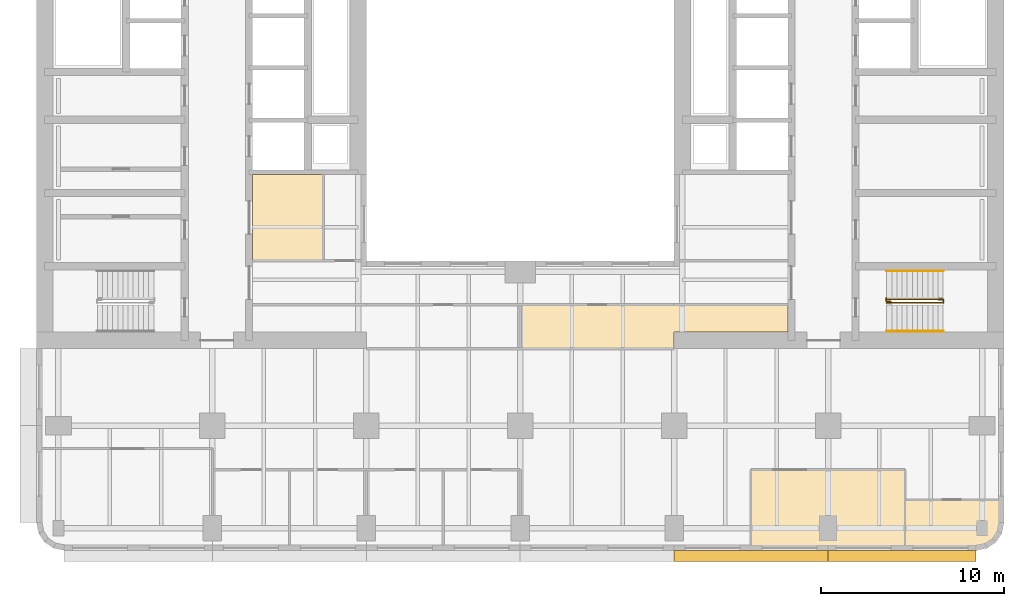
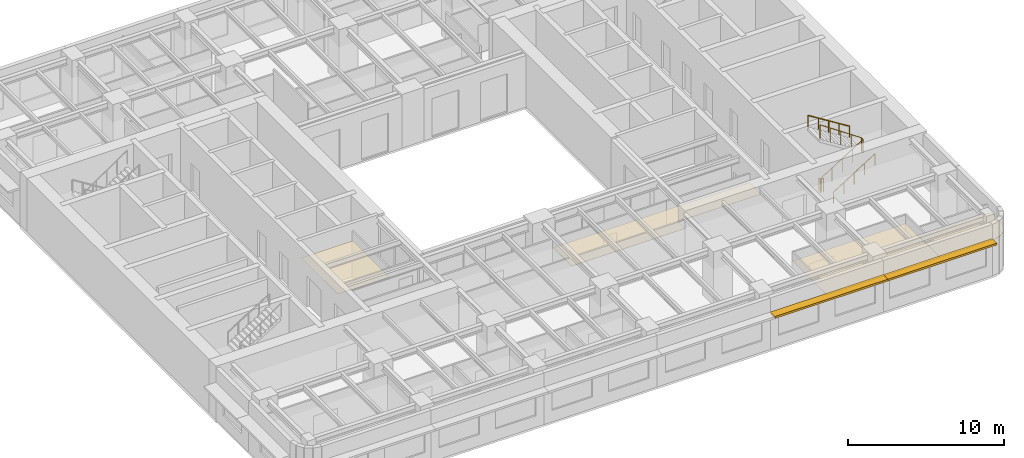
# One storey, part 10 of 11: 4 coverings, 4 railings, 2 shading devices.
"""IFC4 building model written with IfcOpenShell, lengths in metres."""

from ifc_helpers import new_model, si_unit, direction, frame, origin, origin_2d, place, context, subcontext, project, spatial, polyline, rectangle, circle, outline, extrude, material, layer, layer_set, type_object, element, save


model = new_model("IFC4")

# Units and contexts
model_context = context("Model", 3, precision=1e-05, world=origin(), true_north=direction((0.0, 1.0)))
body_context = subcontext(model_context, "Body", "Model", "MODEL_VIEW")
ifc_project = project(units=[si_unit("LENGTHUNIT", "METRE"), si_unit("AREAUNIT", "SQUARE_METRE"), si_unit("VOLUMEUNIT", "CUBIC_METRE"), si_unit("PLANEANGLEUNIT", "RADIAN"), si_unit("MASSUNIT", "GRAM", prefix="KILO")], contexts=[model_context])

# Site, building, storey
site_placement = place(None, origin())
site = spatial("IfcSite", under=ifc_project, at=site_placement, CompositionType="ELEMENT")
building_placement = place(site_placement, origin())
building = spatial("IfcBuilding", under=site, at=building_placement, Name="Claustro Exchange Tower", CompositionType="ELEMENT")
storey_placement = place(building_placement, frame((0.0, 0.0, 121.800048828125)))
storey = spatial("IfcBuildingStorey", under=building, at=storey_placement, Name="L27", CompositionType="ELEMENT", Elevation=121.800048828125)

# Coverings
ifc_material_1 = material(Name="Gypsum board ceiling", Category="gypsum board")
ifc_layer_1 = layer(ifc_material_1, 0.02490234375)
ifc_layer_set_1 = layer_set([ifc_layer_1], Name="Gypsum board ceiling")
covering_type = type_object("IfcCoveringType", Name="CL2 plasterboard ceiling", PredefinedType="CEILING", material=ifc_layer_set_1)
covering_1_placement = place(storey_placement, frame((0.0, 0.0, 2.800048828125)))
element("IfcCovering", 1, at=covering_1_placement, inside=storey, type_object=covering_type, Name="Ceiling CL2 L27-01", PredefinedType="CEILING", context=body_context, shape_type="SweptSolid", body=[
    extrude(outline(polyline([(51.60009765625, 3.10009765625), (51.60009765625, 4.35009765625), (46.199951171875, 4.35009765625), (46.199951171875, 1.60009765625), (50.10009765625, 1.60009765625), (50.674072265625, 1.714111328125), (51.16064453125, 2.039306640625), (51.48583984375, 2.52587890625), (51.60009765625, 3.10009765625)])), origin(), (0.0, 0.0, 1.0), 0.02490234375),
])
covering_2_placement = place(storey_placement, frame((0.0, 0.0, 2.800048828125)))
element("IfcCovering", 2, at=covering_2_placement, inside=storey, type_object=covering_type, Name="Ceiling CL2 L27-06", PredefinedType="CEILING", context=body_context, shape_type="SweptSolid", body=[
    extrude(outline(polyline([(37.800048828125, 1.60009765625), (46.199951171875, 1.60009765625), (46.199951171875, 6.0), (37.800048828125, 6.0), (37.800048828125, 1.60009765625)])), origin(), (0.0, 0.0, 1.0), 0.02490234375),
])
covering_3_placement = place(storey_placement, frame((0.0, 0.0, 2.800048828125)))
element("IfcCovering", 3, at=covering_3_placement, inside=storey, type_object=covering_type, Name="Ceiling CL2 L27-10", PredefinedType="CEILING", context=body_context, shape_type="SweptSolid", body=[
    extrude(outline(polyline([(39.800048828125, 13.5), (39.800048828125, 15.0), (33.60009765625, 15.0), (33.60009765625, 15.0), (25.199951171875, 15.0), (25.199951171875, 12.60009765625), (33.60009765625, 12.60009765625), (33.60009765625, 13.5), (39.800048828125, 13.5)])), origin(), (0.0, 0.0, 1.0), 0.02490234375),
])
covering_4_placement = place(storey_placement, frame((0.0, 0.0, 2.800048828125)))
element("IfcCovering", 4, at=covering_4_placement, inside=storey, type_object=covering_type, Name="Ceiling CL2 L27-12", PredefinedType="CEILING", context=body_context, shape_type="SweptSolid", body=[
    extrude(outline(polyline([(14.444091796875, 17.39990234375), (14.444091796875, 22.10009765625), (10.60009765625, 22.10009765625), (10.60009765625, 17.39990234375), (14.444091796875, 17.39990234375)])), origin(), (0.0, 0.0, 1.0), 0.02490234375),
])

# Railings
ifc_material_2 = material(Name="Steel balustrade, painted", Category="steel")
railing_type_1 = type_object("IfcRailingType", Name="GR2 1100 steel stair guard", PredefinedType="GUARDRAIL", material=ifc_material_2)
railing_1_placement = place(storey_placement, frame((45.199951171875, 15.10009765625, 0.175048828125)))
element("IfcRailing", 5, at=railing_1_placement, inside=storey, type_object=railing_type_1, Name="Stair well guard GR2 stair STEA L27", PredefinedType="GUARDRAIL", context=body_context, shape_type="SweptSolid", body=[
    extrude(circle(Radius=0.02392578125, at=origin_2d()), frame((0.0, 0.0, 1.076171875), z_axis=(0.848028513186, 0.0, 0.529950602248), x_axis=(0.0, 1.0, 0.0)), (0.0, 0.0, 1.0), 3.632080078125),
    extrude(circle(Radius=0.02392578125, at=origin_2d()), frame((3.080078125, 0.0, 3.0009765625), z_axis=(0.0, 1.0, 0.0), x_axis=(-1.0, 0.0, 0.0)), (0.0, 0.0, 1.0), 0.199951171875),
    extrude(circle(Radius=0.02392578125, at=origin_2d()), frame((3.080078125, 0.199951171875, 3.0009765625), z_axis=(-0.826221800596, 0.0, 0.563344953133), x_axis=(0.0, -1.0, 0.0)), (0.0, 0.0, 1.0), 3.72802734375),
    extrude(circle(Radius=0.02099609375, at=origin_2d()), origin(), (0.0, 0.0, 1.0), 1.052001953125),
    extrude(circle(Radius=0.02099609375, at=origin_2d()), frame((0.77001953125, 0.0, 0.481201171875)), (0.0, 0.0, 1.0), 1.052001953125),
    extrude(circle(Radius=0.02099609375, at=origin_2d()), frame((1.5400390625, 0.0, 0.96240234375)), (0.0, 0.0, 1.0), 1.052001953125),
    extrude(circle(Radius=0.02099609375, at=origin_2d()), frame((2.31005859375, 0.0, 1.443603515625)), (0.0, 0.0, 1.0), 1.052001953125),
    extrude(circle(Radius=0.02099609375, at=origin_2d()), frame((3.080078125, 0.0, 1.9248046875)), (0.0, 0.0, 1.0), 1.052001953125),
    extrude(circle(Radius=0.02099609375, at=origin_2d()), frame((3.080078125, 0.199951171875, 1.9248046875)), (0.0, 0.0, 1.0), 1.052001953125),
    extrude(circle(Radius=0.02099609375, at=origin_2d()), frame((2.31005859375, 0.199951171875, 2.44970703125)), (0.0, 0.0, 1.0), 1.052001953125),
    extrude(circle(Radius=0.02099609375, at=origin_2d()), frame((1.5400390625, 0.199951171875, 2.974853515625)), (0.0, 0.0, 1.0), 1.052001953125),
    extrude(circle(Radius=0.02099609375, at=origin_2d()), frame((0.77001953125, 0.199951171875, 3.5)), (0.0, 0.0, 1.0), 1.052001953125),
    extrude(circle(Radius=0.02099609375, at=origin_2d()), frame((0.0, 0.199951171875, 4.02490234375)), (0.0, 0.0, 1.0), 1.052001953125),
])
railing_2_placement = place(storey_placement, frame((45.39990234375, 15.169921875, 0.0)))
element("IfcRailing", 6, at=railing_2_placement, inside=storey, type_object=railing_type_1, Name="Stair guard GR2 STEA L27", PredefinedType="GUARDRAIL", context=body_context, shape_type="SweptSolid", body=[
    extrude(circle(Radius=0.02392578125, at=origin_2d()), frame((0.0, 0.0, 1.076171875), z_axis=(0.0, 1.0, 0.0), x_axis=(-1.0, 0.0, 0.0)), (0.0, 0.0, 1.0), 0.030029296875),
    extrude(circle(Radius=0.02392578125, at=origin_2d()), frame((0.0, 0.030029296875, 1.076171875), z_axis=(-1.0, 0.0, 0.0), x_axis=(0.0, -1.0, 0.0)), (0.0, 0.0, 1.0), 0.224853515625),
    extrude(circle(Radius=0.02392578125, at=origin_2d()), frame((-0.224853515625, 0.030029296875, 1.076171875), z_axis=(0.0, 1.0, 0.0), x_axis=(-1.0, 0.0, 0.0)), (0.0, 0.0, 1.0), 0.179931640625),
    extrude(circle(Radius=0.02099609375, at=origin_2d()), origin(), (0.0, 0.0, 1.0), 1.052001953125),
    extrude(circle(Radius=0.02099609375, at=origin_2d()), frame((0.0, 0.030029296875, 0.0)), (0.0, 0.0, 1.0), 1.052001953125),
    extrude(circle(Radius=0.02099609375, at=origin_2d()), frame((-0.224853515625, 0.030029296875, 0.0)), (0.0, 0.0, 1.0), 1.052001953125),
    extrude(circle(Radius=0.02099609375, at=origin_2d()), frame((-0.224853515625, 0.2099609375, 0.0)), (0.0, 0.0, 1.0), 1.052001953125),
])
ifc_material_3 = material(Name="Stainless steel tube", Category="steel")
railing_type_2 = type_object("IfcRailingType", Name="HR1 900 stair handrail", PredefinedType="HANDRAIL", material=ifc_material_3)
railing_3_placement = place(storey_placement, frame((45.199951171875, 13.56005859375, 0.175048828125)))
element("IfcRailing", 7, at=railing_3_placement, inside=storey, type_object=railing_type_2, Name="Handrail HR1 stair STEA L27", PredefinedType="HANDRAIL", context=body_context, shape_type="SweptSolid", body=[
    extrude(circle(Radius=0.02392578125, at=origin_2d()), frame((0.0, 0.0, 0.8759765625), z_axis=(0.848028513186, 0.0, 0.529950602248), x_axis=(0.0, 1.0, 0.0)), (0.0, 0.0, 1.0), 3.632080078125),
    extrude(circle(Radius=0.02099609375, at=origin_2d()), origin(), (0.0, 0.0, 1.0), 0.851806640625),
    extrude(circle(Radius=0.02099609375, at=origin_2d()), frame((0.77001953125, 0.0, 0.481201171875)), (0.0, 0.0, 1.0), 0.851806640625),
    extrude(circle(Radius=0.02099609375, at=origin_2d()), frame((1.5400390625, 0.0, 0.96240234375)), (0.0, 0.0, 1.0), 0.851806640625),
    extrude(circle(Radius=0.02099609375, at=origin_2d()), frame((2.31005859375, 0.0, 1.443603515625)), (0.0, 0.0, 1.0), 0.851806640625),
    extrude(circle(Radius=0.02099609375, at=origin_2d()), frame((3.080078125, 0.0, 1.9248046875)), (0.0, 0.0, 1.0), 0.851806640625),
])
railing_4_placement = place(storey_placement, frame((48.280029296875, 16.840087890625, 2.27490234375)))
element("IfcRailing", 8, at=railing_4_placement, inside=storey, type_object=railing_type_2, Name="Handrail HR1 stair STEA L27", PredefinedType="HANDRAIL", context=body_context, shape_type="SweptSolid", body=[
    extrude(circle(Radius=0.02392578125, at=origin_2d()), frame((0.0, 0.0, 0.8759765625), z_axis=(-0.847998304005, 0.0, 0.529998940003), x_axis=(0.0, -1.0, 0.0)), (0.0, 0.0, 1.0), 3.632080078125),
    extrude(circle(Radius=0.02099609375, at=origin_2d()), origin(), (0.0, 0.0, 1.0), 0.851806640625),
    extrude(circle(Radius=0.02099609375, at=origin_2d()), frame((-0.77001953125, 0.0, 0.481201171875)), (0.0, 0.0, 1.0), 0.851806640625),
    extrude(circle(Radius=0.02099609375, at=origin_2d()), frame((-1.5400390625, 0.0, 0.96240234375)), (0.0, 0.0, 1.0), 0.851806640625),
    extrude(circle(Radius=0.02099609375, at=origin_2d()), frame((-2.31005859375, 0.0, 1.44384765625)), (0.0, 0.0, 1.0), 0.851806640625),
    extrude(circle(Radius=0.02099609375, at=origin_2d()), frame((-3.080078125, 0.0, 1.925048828125)), (0.0, 0.0, 1.0), 0.851806640625),
])

# Shading devices
ifc_material_4 = material(Name="Concrete HA-40 (C40/50), precast, white cement, acid-etched", Category="concrete")
ifc_layer_2 = layer(ifc_material_4, 0.14990234375)
ifc_layer_set_2 = layer_set([ifc_layer_2], Name="Concrete HA-40 (C40/50), precast, white cement, acid-etched")
shading_device_type = type_object("IfcShadingDeviceType", Name="SS1 600 precast concrete SUNSHADE", PredefinedType="SHUTTER", material=ifc_layer_set_2)
shading_device_1_placement = place(storey_placement, frame((46.04248046875, 1.300048828125, 2.800048828125), z_axis=(0.0, 0.0, 1.0), x_axis=(-1.0, 0.0, 0.0)))
element("IfcShadingDevice", 9, at=shading_device_1_placement, inside=storey, type_object=shading_device_type, Name="Precast SUNSHADE SS1 L27", PredefinedType="SHUTTER", context=body_context, shape_type="SweptSolid", body=[
    extrude(rectangle(XDim=8.085205078125, YDim=0.60009765625, at=origin_2d()), origin(), (0.0, 0.0, 1.0), 0.14990234375),
])
shading_device_2_placement = place(storey_placement, frame((37.800048828125, 1.300048828125, 2.800048828125), z_axis=(0.0, 0.0, 1.0), x_axis=(-1.0, 0.0, 0.0)))
element("IfcShadingDevice", 10, at=shading_device_2_placement, inside=storey, type_object=shading_device_type, Name="Precast SUNSHADE SS1 L27", PredefinedType="SHUTTER", context=body_context, shape_type="SweptSolid", body=[
    extrude(rectangle(XDim=8.39990234375, YDim=0.60009765625, at=origin_2d()), origin(), (0.0, 0.0, 1.0), 0.14990234375),
])

save(model, "model.ifc")
